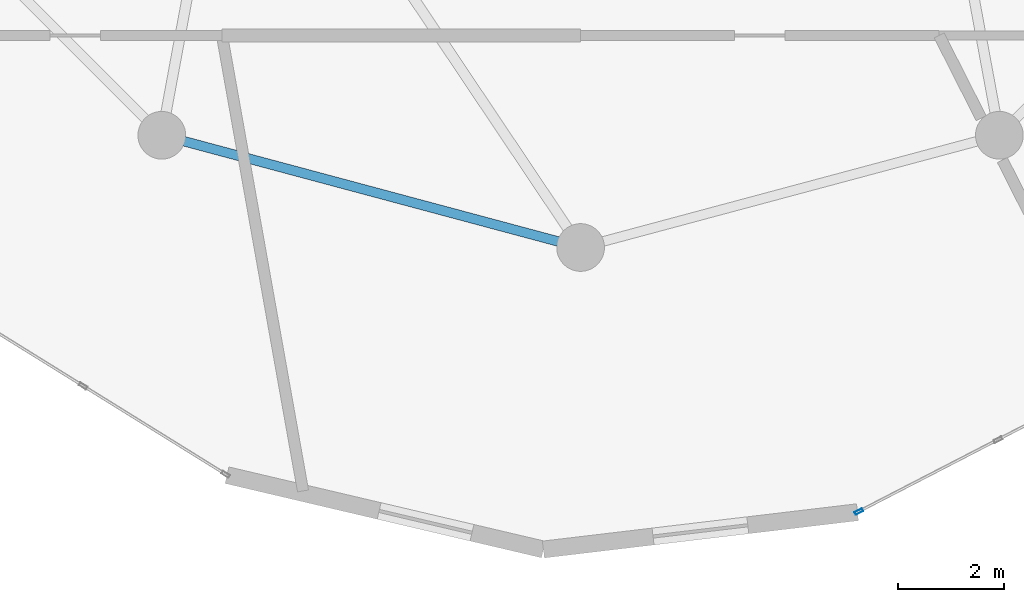
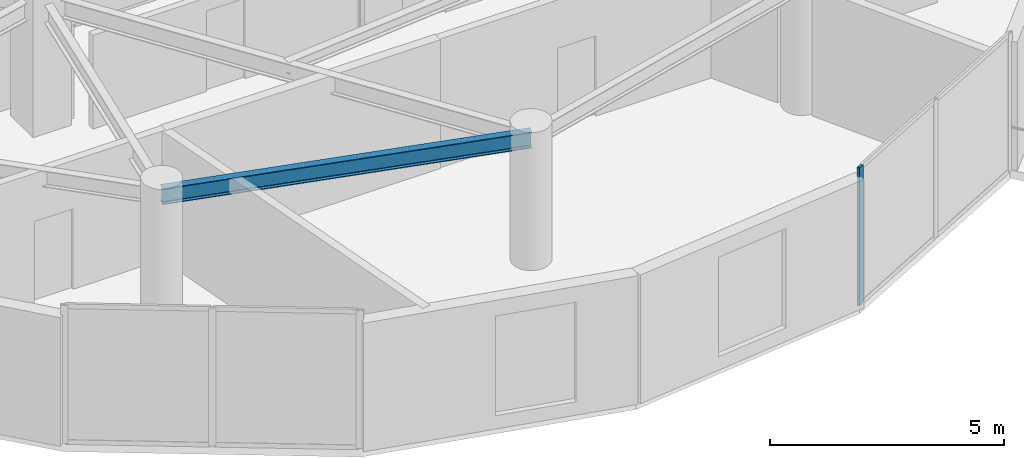
# One storey, part 4 of 22: 1 beam, 1 member, 1 element without a shape of its own.
"""IFC4 building model written with IfcOpenShell, lengths in metres."""

from ifc_helpers import new_model, si_unit, direction, frame, origin, origin_2d, place, context, subcontext, project, spatial, hollow_rectangle, i_section, extrude, source, transform, mapped, material, layer, layer_set, material_profile, profile_set, type_object, element, aggregate, save


model = new_model("IFC4")

# Units and contexts
model_context = context("Model", 3, precision=1e-05, world=origin(), true_north=direction((0.0, 1.0)))
body_context = subcontext(model_context, "Body", "Model", "MODEL_VIEW")
ifc_project = project(units=[si_unit("LENGTHUNIT", "METRE"), si_unit("AREAUNIT", "SQUARE_METRE"), si_unit("VOLUMEUNIT", "CUBIC_METRE"), si_unit("PLANEANGLEUNIT", "RADIAN"), si_unit("MASSUNIT", "GRAM", prefix="KILO")], contexts=[model_context])

# Site, building, storey
site_placement = place(None, origin())
site = spatial("IfcSite", under=ifc_project, at=site_placement, CompositionType="ELEMENT")
building_placement = place(site_placement, origin())
building = spatial("IfcBuilding", under=site, at=building_placement, Name="Solvirekh Grand Hotel", CompositionType="ELEMENT")
storey_placement = place(building_placement, frame((0.0, 0.0, 227.199951171875)))
storey = spatial("IfcBuildingStorey", under=building, at=storey_placement, Name="L59", CompositionType="ELEMENT", Elevation=227.199951171875)

# Beam
ifc_material_1 = material(Name="Steel S355", Category="steel")
ifc_material_profile_1 = material_profile(ifc_material_1, i_section(OverallWidth=0.180908203125, OverallDepth=0.4169921875, WebThickness=0.010009765625, FlangeThickness=0.01611328125, FilletRadius=0.011962890625, at=origin_2d()), Name="W410X85")
ifc_profile_set_1 = profile_set([ifc_material_profile_1], Name="Steel S355")
beam_type = type_object("IfcBeamType", Name="Spandrel_Ring_W410", PredefinedType="SPANDREL", material=ifc_profile_set_1)
beam_placement = place(storey_placement, frame((-7.89990234375, -13.68310546875, 3.152099609375), z_axis=(0.965920601923, -0.258838541915, 0.0), x_axis=(0.258838541915, 0.965920601923, 0.0)))
element("IfcBeam", 1, at=beam_placement, inside=storey, type_object=beam_type, Name="L59 perimeter spandrel beam 9", PredefinedType="SPANDREL", context=body_context, shape_type="SweptSolid", body=[
    extrude(i_section(OverallWidth=0.180908203125, OverallDepth=0.4169921875, WebThickness=0.010009765625, FlangeThickness=0.01611328125, FilletRadius=0.011962890625, at=origin_2d()), origin(), (0.0, 0.0, 1.0), 8.1787109375),
])

# Curtain wall, member
ifc_material_2 = material(Name="Anodized Bronze Aluminium 6063-T6", Category="aluminium")
ifc_layer = layer(ifc_material_2, 0.159912109375)
ifc_layer_set = layer_set([ifc_layer], Name="Anodized Bronze Aluminium 6063-T6")
curtain_wall_type = type_object("IfcCurtainWallType", Name="CW_Sys4_HighZoneFlushBronzeCW", PredefinedType="NOTDEFINED", material=ifc_layer_set)
curtain_wall_placement = place(storey_placement, origin())
curtain_wall = element("IfcCurtainWall", 2, at=curtain_wall_placement, inside=storey, type_object=curtain_wall_type, Name="L59 unitised bronze-glass curtain wall CW-L59-C01", PredefinedType="NOTDEFINED")
ifc_material_profile_2 = material_profile(ifc_material_2, hollow_rectangle(XDim=0.06005859375, YDim=0.159912109375, WallThickness=0.0048828125, at=origin_2d()), Name="ALU RHS 160X60X5")
ifc_profile_set_2 = profile_set([ifc_material_profile_2], Name="Anodized Bronze Aluminium 6063-T6")
member_type = type_object("IfcMemberType", Name="CWMullion_Sys4", PredefinedType="MULLION", material=ifc_profile_set_2)
shared_shape = source(origin(), body_context, "Body", "SweptSolid", [
    extrude(hollow_rectangle(XDim=0.06005859375, YDim=0.159912109375, WallThickness=0.0048828125, at=origin_2d()), origin(), (0.0, 0.0, 1.0), 3.60009765625),
])
member_placement = place(storey_placement, frame((5.250732421875, -20.78125, 0.0), z_axis=(0.0, 0.0, 1.0), x_axis=(-0.45890759983, 0.888483998065, 0.0)))
member = element("IfcMember", 3, at=member_placement, type_object=member_type, Name="U04 mullion 1", PredefinedType="MULLION", context=body_context, shape_type="MappedRepresentation", body=[
    mapped(shared_shape, transform((0.0, 0.0, 0.0), x_axis=(1.0, 0.0, 0.0), y_axis=(0.0, 1.0, 0.0), z_axis=(0.0, 0.0, 1.0), scale=1.0)),
])
aggregate(curtain_wall, [member])

save(model, "model.ifc")
